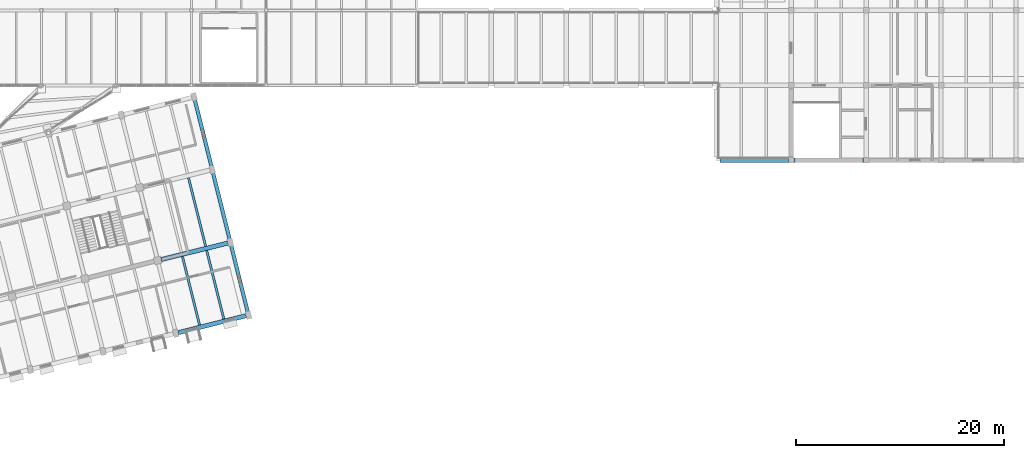
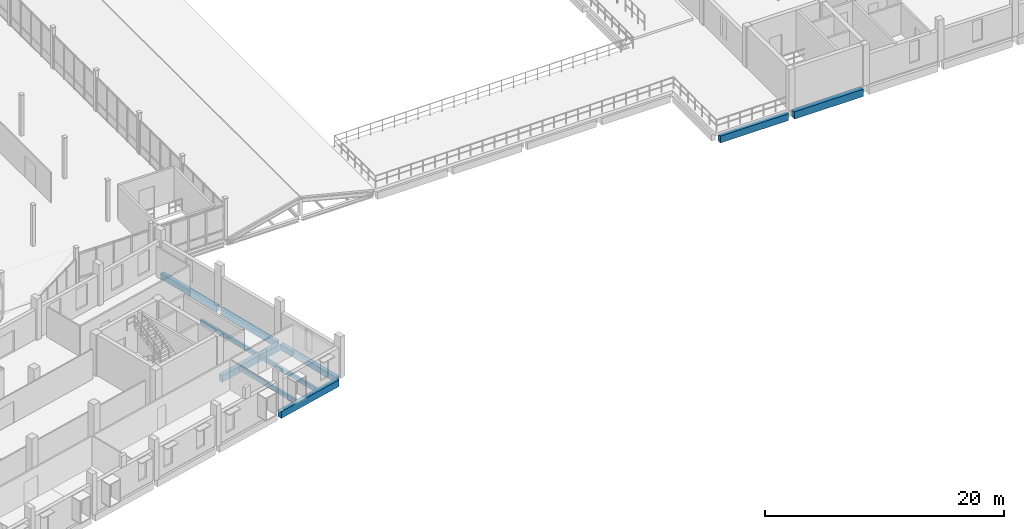
# One storey, part 24 of 63: 10 beams.
"""IFC4 building model written with IfcOpenShell, lengths in metres."""

from ifc_helpers import new_model, si_unit, direction, frame, origin, origin_2d, place, context, subcontext, project, spatial, rectangle, extrude, material, material_profile, profile_set, type_object, element, save


model = new_model("IFC4")

# Units and contexts
model_context = context("Model", 3, precision=1e-05, world=origin(), true_north=direction((0.0, 1.0)))
body_context = subcontext(model_context, "Body", "Model", "MODEL_VIEW")
ifc_project = project(units=[si_unit("LENGTHUNIT", "METRE"), si_unit("AREAUNIT", "SQUARE_METRE"), si_unit("VOLUMEUNIT", "CUBIC_METRE"), si_unit("PLANEANGLEUNIT", "RADIAN"), si_unit("MASSUNIT", "GRAM", prefix="KILO")], contexts=[model_context])

# Site, building, storey
site_placement = place(None, origin())
site = spatial("IfcSite", under=ifc_project, at=site_placement, CompositionType="ELEMENT")
building_placement = place(site_placement, origin())
building = spatial("IfcBuilding", under=site, at=building_placement, Name="Qiaolan Assembly House", CompositionType="ELEMENT")
storey_placement = place(building_placement, frame((0.0, 0.0, 14.39990234375)))
storey = spatial("IfcBuildingStorey", under=building, at=storey_placement, Name="L03", CompositionType="ELEMENT", Elevation=14.39990234375)

# Beams
ifc_material = material(Name="Concrete C40/50", Category="concrete")
ifc_material_profile_1 = material_profile(ifc_material, rectangle(XDim=0.35009765625, YDim=0.60009765625, at=origin_2d()), Name="RCB 350x600")
ifc_profile_set_1 = profile_set([ifc_material_profile_1], Name="Concrete C40/50")
beam_type_1 = type_object("IfcBeamType", Name="BM-RC-350x600", PredefinedType="BEAM", material=ifc_profile_set_1)
beam_1_placement = place(storey_placement, frame((91.8310546875, 14.16748046875, -0.514892578125), z_axis=(-0.241920106756, 0.970296172283, 0.0), x_axis=(-0.970296172283, -0.241920106756, 0.0)))
element("IfcBeam", 1, at=beam_1_placement, inside=storey, type_object=beam_type_1, Name="GB-08 beam BMV-SE-L03-08-00", PredefinedType="BEAM", context=body_context, shape_type="SweptSolid", body=[
    extrude(rectangle(XDim=0.35009765625, YDim=0.60009765625, at=origin_2d()), origin(), (0.0, 0.0, 1.0), 6.72021484375),
])
for number, where, z_axis, x_axis, name in (
    (2, (90.089111328125, 21.15380859375, -0.514892578125), (-0.241928634891, 0.970294045957, 0.0), (-0.970294045957, -0.241928634891, 0.0), "GB-08 beam BMV-SE-L03-08-01"),
    (3, (88.347412109375, 28.139892578125, -0.514892578125), (-0.241928634891, 0.970294045957, 0.0), (-0.970294045957, -0.241928634891, 0.0), "GB-08 beam BMV-SE-L03-08-02"),
):
    element("IfcBeam", number, at=place(storey_placement, frame(where, z_axis=z_axis, x_axis=x_axis)), inside=storey, type_object=beam_type_1, Name=name, PredefinedType="BEAM", context=body_context, shape_type="SweptSolid", body=[
        extrude(rectangle(XDim=0.35009765625, YDim=0.60009765625, at=origin_2d()), origin(), (0.0, 0.0, 1.0), 6.719970703125),
    ])
ifc_material_profile_2 = material_profile(ifc_material, rectangle(XDim=0.39990234375, YDim=0.699951171875, at=origin_2d()), Name="RCB 400x700")
ifc_profile_set_2 = profile_set([ifc_material_profile_2], Name="Concrete C40/50")
beam_type_2 = type_object("IfcBeamType", Name="BM-RC-400x700", PredefinedType="BEAM", material=ifc_profile_set_2)
beam_2_placement = place(storey_placement, frame((137.139892578125, 28.800048828125, -0.659912109375), z_axis=(1.0, 0.0, 0.0), x_axis=(0.0, 1.0, 0.0)))
element("IfcBeam", 4, at=beam_2_placement, inside=storey, type_object=beam_type_2, Name="GB-05 beam BMX-LBRG-L03-00-00", PredefinedType="BEAM", context=body_context, shape_type="SweptSolid", body=[
    extrude(rectangle(XDim=0.39990234375, YDim=0.699951171875, at=origin_2d()), origin(), (0.0, 0.0, 1.0), 6.59521484375),
])
ifc_material_profile_3 = material_profile(ifc_material, rectangle(XDim=0.419921875, YDim=0.679931640625, at=origin_2d()), Name="RCB 420x680")
ifc_profile_set_3 = profile_set([ifc_material_profile_3], Name="Concrete C40/50")
beam_type_3 = type_object("IfcBeamType", Name="BM-RC-420x680", PredefinedType="BEAM", material=ifc_profile_set_3)
beam_3_placement = place(storey_placement, frame((85.1357421875, 12.2509765625, -0.554931640625), z_axis=(0.970296172283, 0.241920106756, 0.0), x_axis=(-0.241920106756, 0.970296172283, 0.0)))
element("IfcBeam", 5, at=beam_3_placement, inside=storey, type_object=beam_type_3, Name="GB-12 beam BMU-SE-L03-07-00", PredefinedType="BEAM", context=body_context, shape_type="SweptSolid", body=[
    extrude(rectangle(XDim=0.419921875, YDim=0.679931640625, at=origin_2d()), origin(), (0.0, 0.0, 1.0), 6.72021484375),
])
beam_4_placement = place(storey_placement, frame((83.490966796875, 19.26123046875, -0.554931640625), z_axis=(0.970294165893, 0.241928153868, 0.0), x_axis=(-0.241928153868, 0.970294165893, 0.0)))
element("IfcBeam", 6, at=beam_4_placement, inside=storey, type_object=beam_type_3, Name="GB-12 beam BMU-SE-L03-07-01", PredefinedType="BEAM", context=body_context, shape_type="SweptSolid", body=[
    extrude(rectangle(XDim=0.419921875, YDim=0.679931640625, at=origin_2d()), origin(), (0.0, 0.0, 1.0), 6.619873046875),
])
ifc_material_profile_4 = material_profile(ifc_material, rectangle(XDim=0.449951171875, YDim=0.75, at=origin_2d()), Name="RCB 450x750")
ifc_profile_set_4 = profile_set([ifc_material_profile_4], Name="Concrete C40/50")
beam_type_4 = type_object("IfcBeamType", Name="BM-RC-450x750", PredefinedType="BEAM", material=ifc_profile_set_4)
beam_5_placement = place(storey_placement, frame((144.264892578125, 28.800048828125, -0.684814453125), z_axis=(1.0, 0.0, 0.0), x_axis=(0.0, 1.0, 0.0)))
element("IfcBeam", 7, at=beam_5_placement, inside=storey, type_object=beam_type_4, Name="GB-04 beam BMX-LB-L03-00-00", PredefinedType="BEAM", context=body_context, shape_type="SweptSolid", body=[
    extrude(rectangle(XDim=0.449951171875, YDim=0.75, at=origin_2d()), origin(), (0.0, 0.0, 1.0), 6.670166015625),
])
ifc_material_profile_5 = material_profile(ifc_material, rectangle(XDim=0.219970703125, YDim=0.419921875, at=origin_2d()), Name="RCB 220x420")
ifc_profile_set_5 = profile_set([ifc_material_profile_5], Name="Concrete C40/50")
beam_type_5 = type_object("IfcBeamType", Name="JST-RC-220x420", PredefinedType="JOIST", material=ifc_profile_set_5)
beam_6_placement = place(storey_placement, frame((87.182373046875, 12.971435546875, -0.4248046875), z_axis=(-0.241943550075, 0.970290326952, 0.0), x_axis=(-0.970290326952, -0.241943550075, 0.0)))
element("IfcBeam", 8, at=beam_6_placement, inside=storey, type_object=beam_type_5, Name="RJ-03 beam JST-SE-L03-07-00-1", PredefinedType="JOIST", context=body_context, shape_type="SweptSolid", body=[
    extrude(rectangle(XDim=0.219970703125, YDim=0.419921875, at=origin_2d()), origin(), (0.0, 0.0, 1.0), 6.792236328125),
])
for number, where, z_axis, x_axis, name in (
    (9, (89.510986328125, 13.552001953125, -0.4248046875), (-0.241909709048, 0.970298764643, 0.0), (-0.970298764643, -0.241909709048, 0.0), "RJ-03 beam JST-SE-L03-07-00-2"),
    (10, (87.76904296875, 20.5380859375, -0.4248046875), (-0.241909709048, 0.970298764643, 0.0), (-0.970298764643, -0.241909709048, 0.0), "RJ-03 beam JST-SE-L03-07-01-2"),
):
    element("IfcBeam", number, at=place(storey_placement, frame(where, z_axis=z_axis, x_axis=x_axis)), inside=storey, type_object=beam_type_5, Name=name, PredefinedType="JOIST", context=body_context, shape_type="SweptSolid", body=[
        extrude(rectangle(XDim=0.219970703125, YDim=0.419921875, at=origin_2d()), origin(), (0.0, 0.0, 1.0), 6.7919921875),
    ])

save(model, "model.ifc")
